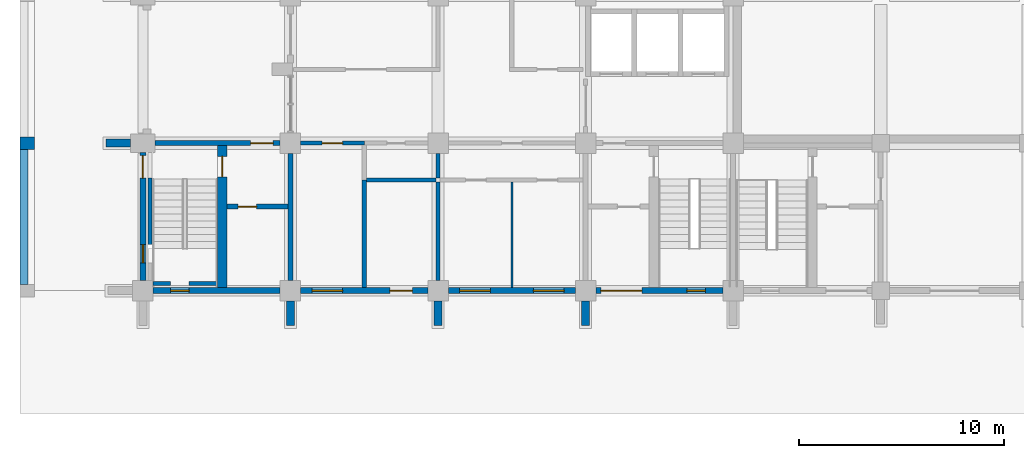
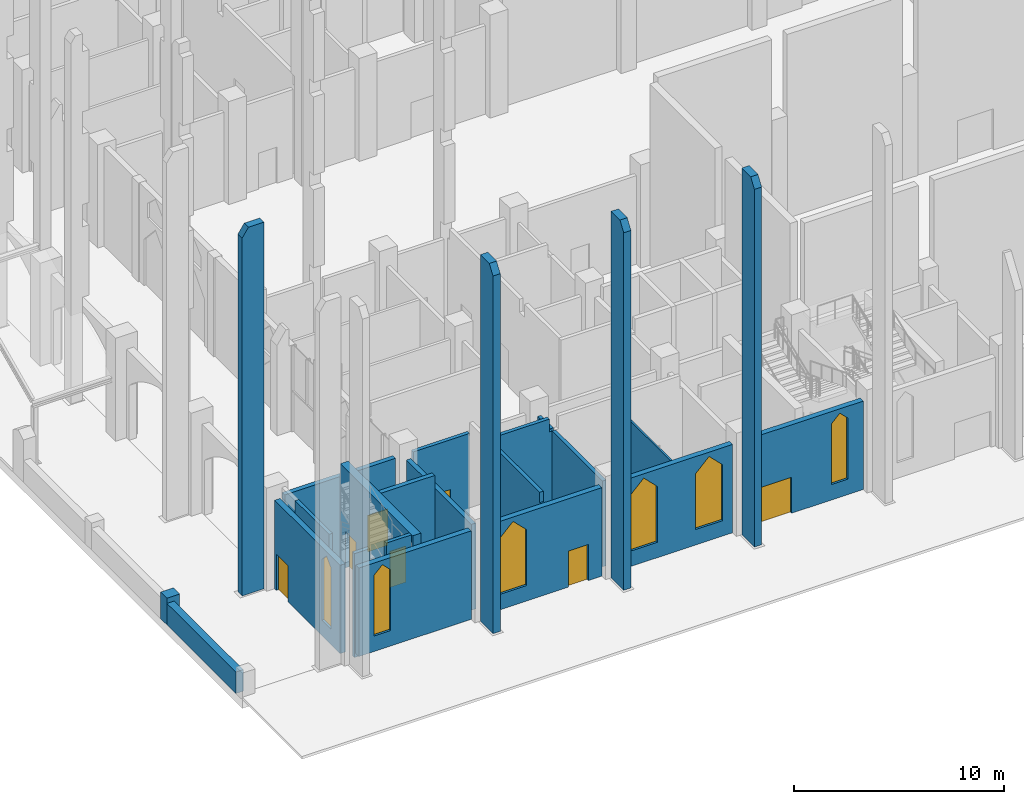
# One storey, part 28 of 50: 24 walls, 7 doors, 6 windows, 13 openings.
"""IFC4 building model written with IfcOpenShell, lengths in metres."""

from ifc_helpers import new_model, si_unit, direction, frame, frame_2d, origin, place, context, subcontext, project, spatial, polyline, rectangle, outline, extrude, material, layer, layer_set, type_object, element, fill, save


model = new_model("IFC4")

# Units and contexts
model_context = context("Model", 3, precision=1e-05, world=origin(), true_north=direction((0.0, 1.0)))
body_context = subcontext(model_context, "Body", "Model", "MODEL_VIEW")
ifc_project = project(units=[si_unit("LENGTHUNIT", "METRE"), si_unit("AREAUNIT", "SQUARE_METRE"), si_unit("VOLUMEUNIT", "CUBIC_METRE"), si_unit("PLANEANGLEUNIT", "RADIAN"), si_unit("MASSUNIT", "GRAM", prefix="KILO")], contexts=[model_context])

# Site, building, storey
site_placement = place(None, origin())
site = spatial("IfcSite", under=ifc_project, at=site_placement, CompositionType="ELEMENT")
building_placement = place(site_placement, origin())
building = spatial("IfcBuilding", under=site, at=building_placement, Name="Silangan Lancet Faculty of Sciences", CompositionType="ELEMENT")
storey_placement = place(building_placement, origin())
storey = spatial("IfcBuildingStorey", under=building, at=storey_placement, Name="L00", CompositionType="ELEMENT", Elevation=0.0)

# Walls
ifc_material_1 = material(Name="Concrete C40/50", Category="concrete")
ifc_layer_1 = layer(ifc_material_1, 0.39990234375)
ifc_layer_set_1 = layer_set([ifc_layer_1], Name="Concrete C40/50")
wall_type_1 = type_object("IfcWallType", Name="EW11 Forecourt stone wall 400", PredefinedType="STANDARD", material=ifc_layer_set_1)
wall_1_placement = place(storey_placement, frame((-5.800048828125, 0.300048828125, -0.14990234375), z_axis=(0.0, 0.0, 1.0), x_axis=(0.0, 1.0, 0.0)))
element("IfcWall", 1, at=wall_1_placement, inside=storey, type_object=wall_type_1, Name="BWF-01", PredefinedType="STANDARD", context=body_context, shape_type="SweptSolid", body=[
    extrude(rectangle(XDim=6.599853515625, YDim=0.39990234375, at=frame_2d((3.2998046875, 0.0))), origin(), (0.0, 0.0, 1.0), 1.25),
])
ifc_material_2 = material(Name="Concrete C40/50", Category="concrete")
ifc_layer_2 = layer(ifc_material_2, 0.699951171875)
ifc_layer_set_2 = layer_set([ifc_layer_2], Name="Concrete C40/50")
wall_type_2 = type_object("IfcWallType", Name="EW12 Forecourt wall pier 700 x 600", PredefinedType="STANDARD", material=ifc_layer_set_2)
wall_2_placement = place(storey_placement, frame((-5.64990234375, 6.89990234375, -0.14990234375), z_axis=(0.0, 0.0, 1.0), x_axis=(0.0, 1.0, 0.0)))
element("IfcWall", 2, at=wall_2_placement, inside=storey, type_object=wall_type_2, Name="BPF-02", PredefinedType="STANDARD", context=body_context, shape_type="SweptSolid", body=[
    extrude(rectangle(XDim=0.60009765625, YDim=0.699951171875, at=frame_2d((0.300048828125, 0.0))), origin(), (0.0, 0.0, 1.0), 1.5498046875),
])

# Wall, openings, window, door
ifc_material_3 = material(Name="Concrete C40/50 precast", Category="concrete")
ifc_layer_3 = layer(ifc_material_3, 0.300048828125)
ifc_layer_set_3 = layer_set([ifc_layer_3], Name="Concrete C40/50 precast")
wall_type_3 = type_object("IfcWallType", Name="EW2 Turret enclosure wall", PredefinedType="STANDARD", material=ifc_layer_set_3)
wall_3_placement = place(storey_placement, frame((0.0, 0.5, 0.0), z_axis=(0.0, 0.0, 1.0), x_axis=(0.0, 1.0, 0.0)))
wall_3 = element("IfcWall", 3, at=wall_3_placement, inside=storey, type_object=wall_type_3, Name="EW-L00-W-ST-00", PredefinedType="STANDARD", context=body_context, shape_type="SweptSolid", body=[
    extrude(rectangle(XDim=6.25, YDim=0.300048828125, at=frame_2d((3.125, 0.0))), origin(), (0.0, 0.0, 1.0), 5.14990234375),
])
opening_1_placement = place(wall_3_placement, frame((4.989990234375, 0.0, 0.0)))
opening_1 = element("IfcOpeningElement", 4, at=opening_1_placement, cuts=wall_3, Name="Opening L00-901", PredefinedType="OPENING", context=body_context, shape_type="SweptSolid", body=[
    extrude(rectangle(XDim=1.10009765625, YDim=2.10009765625, at=frame_2d((0.550048828125, 1.050048828125))), frame((0.0, 0.159912109375, 0.0), z_axis=(0.0, -1.0, 0.0), x_axis=(1.0, 0.0, 0.0)), (0.0, 0.0, 1.0), 0.320068359375),
])
opening_2_placement = place(wall_3_placement, frame((0.85009765625, 0.0, 0.89990234375)))
opening_2 = element("IfcOpeningElement", 5, at=opening_2_placement, cuts=wall_3, Name="Opening W2", PredefinedType="OPENING", context=body_context, shape_type="SweptSolid", body=[
    extrude(outline(polyline([(0.0, 0.0), (0.89990234375, 0.0), (0.89990234375, 3.550048828125), (0.449951171875, 4.0), (0.0, 3.550048828125), (0.0, 0.0)])), frame((0.0, 0.159912109375, 0.0), z_axis=(0.0, -1.0, 0.0), x_axis=(1.0, 0.0, 0.0)), (0.0, 0.0, 1.0), 0.320068359375),
])
ifc_material_4 = material(Name="Aluminium frame, laminated double glazing", Category="aluminium")
window_type_1 = type_object("IfcWindowType", Name="W2 Lancet window 900 x 4000", PartitioningType="SINGLE_PANEL", PredefinedType="WINDOW", material=ifc_material_4)
window_1_placement = place(opening_2_placement, origin())
window_1 = element("IfcWindow", 6, at=window_1_placement, inside=storey, type_object=window_type_1, Name="WIN-L00-W-ST-00a", OverallHeight=4.0, OverallWidth=0.89990234375, PartitioningType="SINGLE_PANEL", PredefinedType="WINDOW", context=body_context, shape_type="SweptSolid", body=[
    extrude(outline(polyline([(0.0, 0.0), (0.89990234375, 0.0), (0.89990234375, 3.550048828125), (0.449951171875, 4.0), (0.0, 3.550048828125), (0.0, 0.0)])), frame((0.0, 0.030029296875, 0.0), z_axis=(0.0, -1.0, 0.0), x_axis=(1.0, 0.0, 0.0)), (0.0, 0.0, 1.0), 0.06005859375),
])
fill(opening_2, window_1)
ifc_material_5 = material(Name="Steel hollow-metal, fire rated", Category="steel")
door_type_1 = type_object("IfcDoorType", Name="XD1 Stair discharge door 1100 x 2100", OperationType="SINGLE_SWING_LEFT", PredefinedType="DOOR", material=ifc_material_5)
door_1_placement = place(opening_1_placement, origin())
door_1 = element("IfcDoor", 7, at=door_1_placement, inside=storey, type_object=door_type_1, Name="DOOR-L00-901", OperationType="SINGLE_SWING_RIGHT", OverallHeight=2.10009765625, OverallWidth=1.10009765625, PredefinedType="DOOR", context=body_context, shape_type="SweptSolid", body=[
    extrude(rectangle(XDim=1.10009765625, YDim=2.10009765625, at=frame_2d((0.550048828125, 1.050048828125))), frame((0.0, 0.02490234375, 0.0), z_axis=(0.0, -1.0, 0.0), x_axis=(1.0, 0.0, 0.0)), (0.0, 0.0, 1.0), 0.050048828125),
])
fill(opening_1, door_1)

# Wall, opening, window
wall_4_placement = place(storey_placement, frame((0.5, 0.0, 0.0), z_axis=(0.0, 0.0, 1.0), x_axis=(1.0, 0.0, 0.0)))
wall_4 = element("IfcWall", 8, at=wall_4_placement, inside=storey, type_object=wall_type_3, Name="EW-L00-S-ST-00", PredefinedType="STANDARD", context=body_context, shape_type="SweptSolid", body=[
    extrude(rectangle(XDim=6.199951171875, YDim=0.300048828125, at=frame_2d((3.10009765625, 0.0))), origin(), (0.0, 0.0, 1.0), 5.14990234375),
])
opening_3_placement = place(wall_4_placement, frame((0.85009765625, 0.0, 0.89990234375)))
opening_3 = element("IfcOpeningElement", 9, at=opening_3_placement, cuts=wall_4, Name="Opening W2", PredefinedType="OPENING", context=body_context, shape_type="SweptSolid", body=[
    extrude(outline(polyline([(0.0, 0.0), (0.89990234375, 0.0), (0.89990234375, 3.550048828125), (0.449951171875, 4.0), (0.0, 3.550048828125), (0.0, 0.0)])), frame((0.0, 0.159912109375, 0.0), z_axis=(0.0, -1.0, 0.0), x_axis=(1.0, 0.0, 0.0)), (0.0, 0.0, 1.0), 0.320068359375),
])
window_2_placement = place(opening_3_placement, origin())
window_2 = element("IfcWindow", 10, at=window_2_placement, inside=storey, type_object=window_type_1, Name="WIN-L00-S-ST-00a", OverallHeight=4.0, OverallWidth=0.89990234375, PartitioningType="SINGLE_PANEL", PredefinedType="WINDOW", context=body_context, shape_type="SweptSolid", body=[
    extrude(outline(polyline([(0.0, 0.0), (0.89990234375, 0.0), (0.89990234375, 3.550048828125), (0.449951171875, 4.0), (0.0, 3.550048828125), (0.0, 0.0)])), frame((0.0, 0.030029296875, 0.0), z_axis=(0.0, -1.0, 0.0), x_axis=(1.0, 0.0, 0.0)), (0.0, 0.0, 1.0), 0.06005859375),
])
fill(opening_3, window_2)

# Wall, openings, window, door
wall_5_placement = place(storey_placement, frame((22.10009765625, 0.0, 0.0), z_axis=(0.0, 0.0, 1.0), x_axis=(1.0, 0.0, 0.0)))
wall_5 = element("IfcWall", 11, at=wall_5_placement, inside=storey, type_object=wall_type_3, Name="EW-L00-S-ST-03", PredefinedType="STANDARD", context=body_context, shape_type="SweptSolid", body=[
    extrude(rectangle(XDim=6.199951171875, YDim=0.300048828125, at=frame_2d((3.10009765625, 0.0))), origin(), (0.0, 0.0, 1.0), 5.14990234375),
])
opening_4_placement = place(wall_5_placement, frame((0.25, 0.0, 0.0)))
opening_4 = element("IfcOpeningElement", 12, at=opening_4_placement, cuts=wall_5, Name="Opening L00-905", PredefinedType="OPENING", context=body_context, shape_type="SweptSolid", body=[
    extrude(rectangle(XDim=2.0, YDim=2.10009765625, at=frame_2d((1.0, 1.050048828125))), frame((0.0, 0.159912109375, 0.0), z_axis=(0.0, -1.0, 0.0), x_axis=(1.0, 0.0, 0.0)), (0.0, 0.0, 1.0), 0.320068359375),
])
opening_5_placement = place(wall_5_placement, frame((4.449951171875, 0.0, 0.89990234375)))
opening_5 = element("IfcOpeningElement", 13, at=opening_5_placement, cuts=wall_5, Name="Opening W2", PredefinedType="OPENING", context=body_context, shape_type="SweptSolid", body=[
    extrude(outline(polyline([(0.0, 0.0), (0.89990234375, 0.0), (0.89990234375, 3.550048828125), (0.449951171875, 4.0), (0.0, 3.550048828125), (0.0, 0.0)])), frame((0.0, 0.159912109375, 0.0), z_axis=(0.0, -1.0, 0.0), x_axis=(1.0, 0.0, 0.0)), (0.0, 0.0, 1.0), 0.320068359375),
])
window_3_placement = place(opening_5_placement, origin())
window_3 = element("IfcWindow", 14, at=window_3_placement, inside=storey, type_object=window_type_1, Name="WIN-L00-S-ST-03b", OverallHeight=4.0, OverallWidth=0.89990234375, PartitioningType="SINGLE_PANEL", PredefinedType="WINDOW", context=body_context, shape_type="SweptSolid", body=[
    extrude(outline(polyline([(0.0, 0.0), (0.89990234375, 0.0), (0.89990234375, 3.550048828125), (0.449951171875, 4.0), (0.0, 3.550048828125), (0.0, 0.0)])), frame((0.0, 0.030029296875, 0.0), z_axis=(0.0, -1.0, 0.0), x_axis=(1.0, 0.0, 0.0)), (0.0, 0.0, 1.0), 0.06005859375),
])
fill(opening_5, window_3)
ifc_material_6 = material(Name="Steel hollow-metal, fire rated", Category="steel")
door_type_2 = type_object("IfcDoorType", Name="XD2 Exit passage door pair 2000 x 2100", OperationType="DOUBLE_DOOR_SINGLE_SWING", PredefinedType="DOOR", material=ifc_material_6)
door_2_placement = place(opening_4_placement, frame((2.0, 0.0, 0.0), z_axis=(0.0, 0.0, 1.0), x_axis=(-1.0, 0.0, 0.0)))
door_2 = element("IfcDoor", 15, at=door_2_placement, inside=storey, type_object=door_type_2, Name="DOOR-L00-905", OperationType="DOUBLE_DOOR_SINGLE_SWING", OverallHeight=2.10009765625, OverallWidth=2.0, PredefinedType="DOOR", context=body_context, shape_type="SweptSolid", body=[
    extrude(rectangle(XDim=2.0, YDim=2.10009765625, at=frame_2d((1.0, 1.050048828125))), frame((0.0, 0.025146484375, 0.0), z_axis=(0.0, -1.0, 0.0), x_axis=(1.0, 0.0, 0.0)), (0.0, 0.0, 1.0), 0.050048828125),
])
fill(opening_4, door_2)

ifc_material_7 = material(Name="Concrete C40/50", Category="concrete")
ifc_layer_4 = layer(ifc_material_7, 0.300048828125)
ifc_layer_set_4 = layer_set([ifc_layer_4], Name="Concrete C40/50")
wall_type_4 = type_object("IfcWallType", Name="EW6 Stone-faced base wall", PredefinedType="STANDARD", material=ifc_layer_set_4)
wall_6_placement = place(storey_placement, frame((7.699951171875, 0.0, 0.0), z_axis=(0.0, 0.0, 1.0), x_axis=(1.0, 0.0, 0.0)))
wall_6 = element("IfcWall", 16, at=wall_6_placement, inside=storey, type_object=wall_type_4, Name="EW-L00-S-ST-01", PredefinedType="STANDARD", context=body_context, shape_type="SweptSolid", body=[
    extrude(rectangle(XDim=6.199951171875, YDim=0.300048828125, at=frame_2d((3.10009765625, 0.0))), origin(), (0.0, 0.0, 1.0), 5.14990234375),
])
opening_6_placement = place(wall_6_placement, frame((4.35009765625, 0.0, 0.0)))
opening_6 = element("IfcOpeningElement", 17, at=opening_6_placement, cuts=wall_6, Name="Opening L00-911", PredefinedType="OPENING", context=body_context, shape_type="SweptSolid", body=[
    extrude(rectangle(XDim=1.10009765625, YDim=2.10009765625, at=frame_2d((0.550048828125, 1.050048828125))), frame((0.0, 0.159912109375, 0.0), z_axis=(0.0, -1.0, 0.0), x_axis=(1.0, 0.0, 0.0)), (0.0, 0.0, 1.0), 0.320068359375),
])
opening_7_placement = place(wall_6_placement, frame((0.550048828125, 0.0, 0.89990234375)))
opening_7 = element("IfcOpeningElement", 18, at=opening_7_placement, cuts=wall_6, Name="Opening W3", PredefinedType="OPENING", context=body_context, shape_type="SweptSolid", body=[
    extrude(outline(polyline([(0.0, 0.0), (1.5, 0.0), (1.5, 3.25), (0.75, 4.0), (0.0, 3.25), (0.0, 0.0)])), frame((0.0, 0.159912109375, 0.0), z_axis=(0.0, -1.0, 0.0), x_axis=(1.0, 0.0, 0.0)), (0.0, 0.0, 1.0), 0.320068359375),
])
ifc_material_8 = material(Name="Aluminium frame, laminated double glazing", Category="aluminium")
window_type_2 = type_object("IfcWindowType", Name="W3 Lancet window 1500 x 4000", PartitioningType="SINGLE_PANEL", PredefinedType="WINDOW", material=ifc_material_8)
window_4_placement = place(opening_7_placement, origin())
window_4 = element("IfcWindow", 19, at=window_4_placement, inside=storey, type_object=window_type_2, Name="WIN-L00-S-ST-01a", OverallHeight=4.0, OverallWidth=1.5, PartitioningType="SINGLE_PANEL", PredefinedType="WINDOW", context=body_context, shape_type="SweptSolid", body=[
    extrude(outline(polyline([(0.0, 0.0), (1.5, 0.0), (1.5, 3.25), (0.75, 4.0), (0.0, 3.25), (0.0, 0.0)])), frame((0.0, 0.030029296875, 0.0), z_axis=(0.0, -1.0, 0.0), x_axis=(1.0, 0.0, 0.0)), (0.0, 0.0, 1.0), 0.06005859375),
])
fill(opening_7, window_4)
ifc_material_9 = material(Name="Steel hollow-metal, fire rated", Category="steel")
door_type_3 = type_object("IfcDoorType", Name="XD4 Fire command centre service entry 1100 x 2100", OperationType="SINGLE_SWING_LEFT", PredefinedType="DOOR", material=ifc_material_9)
door_3_placement = place(opening_6_placement, frame((1.10009765625, 0.0, 0.0), z_axis=(0.0, 0.0, 1.0), x_axis=(-1.0, 0.0, 0.0)))
door_3 = element("IfcDoor", 20, at=door_3_placement, inside=storey, type_object=door_type_3, Name="DOOR-L00-911", OperationType="SINGLE_SWING_LEFT", OverallHeight=2.10009765625, OverallWidth=1.10009765625, PredefinedType="DOOR", context=body_context, shape_type="SweptSolid", body=[
    extrude(rectangle(XDim=1.10009765625, YDim=2.10009765625, at=frame_2d((0.550048828125, 1.050048828125))), frame((0.0, 0.025146484375, 0.0), z_axis=(0.0, -1.0, 0.0), x_axis=(1.0, 0.0, 0.0)), (0.0, 0.0, 1.0), 0.050048828125),
])
fill(opening_6, door_3)

# Wall, openings, windows
wall_7_placement = place(storey_placement, frame((14.89990234375, 0.0, 0.0), z_axis=(0.0, 0.0, 1.0), x_axis=(1.0, 0.0, 0.0)))
wall_7 = element("IfcWall", 21, at=wall_7_placement, inside=storey, type_object=wall_type_4, Name="EW-L00-S-ST-02", PredefinedType="STANDARD", context=body_context, shape_type="SweptSolid", body=[
    extrude(rectangle(XDim=6.2001953125, YDim=0.300048828125, at=frame_2d((3.10009765625, 0.0))), origin(), (0.0, 0.0, 1.0), 5.14990234375),
])
opening_8_placement = place(wall_7_placement, frame((0.550048828125, 0.0, 0.89990234375)))
opening_8 = element("IfcOpeningElement", 22, at=opening_8_placement, cuts=wall_7, Name="Opening W3", PredefinedType="OPENING", context=body_context, shape_type="SweptSolid", body=[
    extrude(outline(polyline([(0.0, 0.0), (1.5, 0.0), (1.5, 3.25), (0.75, 4.0), (0.0, 3.25), (0.0, 0.0)])), frame((0.0, 0.159912109375, 0.0), z_axis=(0.0, -1.0, 0.0), x_axis=(1.0, 0.0, 0.0)), (0.0, 0.0, 1.0), 0.320068359375),
])
opening_9_placement = place(wall_7_placement, frame((4.14990234375, 0.0, 0.89990234375)))
opening_9 = element("IfcOpeningElement", 23, at=opening_9_placement, cuts=wall_7, Name="Opening W3", PredefinedType="OPENING", context=body_context, shape_type="SweptSolid", body=[
    extrude(outline(polyline([(0.0, 0.0), (1.5, 0.0), (1.5, 3.25), (0.75, 4.0), (0.0, 3.25), (0.0, 0.0)])), frame((0.0, 0.159912109375, 0.0), z_axis=(0.0, -1.0, 0.0), x_axis=(1.0, 0.0, 0.0)), (0.0, 0.0, 1.0), 0.320068359375),
])
window_5_placement = place(opening_8_placement, origin())
window_5 = element("IfcWindow", 24, at=window_5_placement, inside=storey, type_object=window_type_2, Name="WIN-L00-S-ST-02a", OverallHeight=4.0, OverallWidth=1.5, PartitioningType="SINGLE_PANEL", PredefinedType="WINDOW", context=body_context, shape_type="SweptSolid", body=[
    extrude(outline(polyline([(0.0, 0.0), (1.5, 0.0), (1.5, 3.25), (0.75, 4.0), (0.0, 3.25), (0.0, 0.0)])), frame((0.0, 0.030029296875, 0.0), z_axis=(0.0, -1.0, 0.0), x_axis=(1.0, 0.0, 0.0)), (0.0, 0.0, 1.0), 0.06005859375),
])
fill(opening_8, window_5)
window_6_placement = place(opening_9_placement, origin())
window_6 = element("IfcWindow", 25, at=window_6_placement, inside=storey, type_object=window_type_2, Name="WIN-L00-S-ST-02b", OverallHeight=4.0, OverallWidth=1.5, PartitioningType="SINGLE_PANEL", PredefinedType="WINDOW", context=body_context, shape_type="SweptSolid", body=[
    extrude(outline(polyline([(0.0, 0.0), (1.5, 0.0), (1.5, 3.25), (0.75, 4.0), (0.0, 3.25), (0.0, 0.0)])), frame((0.0, 0.030029296875, 0.0), z_axis=(0.0, -1.0, 0.0), x_axis=(1.0, 0.0, 0.0)), (0.0, 0.0, 1.0), 0.06005859375),
])
fill(opening_9, window_6)

# Walls
ifc_material_10 = material(Name="Concrete C40/50 precast", Category="concrete")
ifc_layer_5 = layer(ifc_material_10, 0.39990234375)
ifc_layer_set_5 = layer_set([ifc_layer_5], Name="Concrete C40/50 precast")
wall_type_5 = type_object("IfcWallType", Name="FN10 Buttress Fin column line stage 1 21350", PredefinedType="POLYGONAL", material=ifc_layer_set_5)
for number, where, z_axis, x_axis, name in (
    (26, (7.199951171875, -0.5, 0.0), (0.0, 0.0, 1.0), (0.0, -1.0, 0.0), "FINC-S-ST-02"),
    (27, (14.39990234375, -0.5, 0.0), (0.0, 0.0, 1.0), (0.0, -1.0, 0.0), "FINC-S-ST-03"),
    (28, (21.60009765625, -0.5, 0.0), (0.0, 0.0, 1.0), (0.0, -1.0, 0.0), "FINC-S-ST-04"),
):
    element("IfcWall", number, at=place(storey_placement, frame(where, z_axis=z_axis, x_axis=x_axis)), inside=storey, type_object=wall_type_5, Name=name, PredefinedType="POLYGONAL", context=body_context, shape_type="SweptSolid", body=[
        extrude(outline(polyline([(1.199951171875, 0.0), (1.199951171875, 20.824951171875), (0.85009765625, 21.35009765625), (0.0, 21.35009765625), (0.0, 0.0), (1.199951171875, 0.0)])), frame((0.0, 0.199951171875, 0.0), z_axis=(0.0, -1.0, 0.0), x_axis=(1.0, 0.0, 0.0)), (0.0, 0.0, 1.0), 0.39990234375),
    ])
ifc_material_11 = material(Name="Concrete C40/50 precast", Category="concrete")
ifc_layer_6 = layer(ifc_material_11, 0.39990234375)
ifc_layer_set_6 = layer_set([ifc_layer_6], Name="Concrete C40/50 precast")
wall_type_6 = type_object("IfcWallType", Name="FN14 Buttress Fin column line stage 1 21350", PredefinedType="POLYGONAL", material=ifc_layer_set_6)
wall_8_placement = place(storey_placement, frame((-0.60009765625, 7.199951171875, 0.0), z_axis=(0.0, 0.0, 1.0), x_axis=(-1.0, 0.0, 0.0)))
element("IfcWall", 29, at=wall_8_placement, inside=storey, type_object=wall_type_6, Name="FINC-W-ST-02", PredefinedType="POLYGONAL", context=body_context, shape_type="SweptSolid", body=[
    extrude(outline(polyline([(1.199951171875, 0.0), (1.199951171875, 20.824951171875), (0.85009765625, 21.35009765625), (0.0, 21.35009765625), (0.0, 0.0), (1.199951171875, 0.0)])), frame((0.0, 0.199951171875, 0.0), z_axis=(0.0, -1.0, 0.0), x_axis=(1.0, 0.0, 0.0)), (0.0, 0.0, 1.0), 0.39990234375),
])

# Wall, opening, door
ifc_material_12 = material(Name="Hollow block masonry fm 7 MPa", Category="masonry")
ifc_layer_7 = layer(ifc_material_12, 0.199951171875)
ifc_layer_set_7 = layer_set([ifc_layer_7], Name="Hollow block masonry fm 7 MPa")
wall_type_7 = type_object("IfcWallType", Name="Interior wall PW1 Corridor wall CHB 200", PredefinedType="PARTITIONING", material=ifc_layer_set_7)
wall_9_placement = place(storey_placement, frame((7.699951171875, 7.199951171875, 0.0), z_axis=(0.0, 0.0, 1.0), x_axis=(1.0, 0.0, 0.0)))
wall_9 = element("IfcWall", 30, at=wall_9_placement, inside=storey, type_object=wall_type_7, Name="Corridor wall CHB 200", PredefinedType="PARTITIONING", context=body_context, shape_type="SweptSolid", body=[
    extrude(rectangle(XDim=3.10009765625, YDim=0.199951171875, at=frame_2d((1.550048828125, 0.0))), origin(), (0.0, 0.0, 1.0), 5.0),
])
opening_10_placement = place(wall_9_placement, frame((1.050048828125, 0.0, 0.0)))
opening_10 = element("IfcOpeningElement", 31, at=opening_10_placement, cuts=wall_9, Name="Opening L00-042", PredefinedType="OPENING", context=body_context, shape_type="SweptSolid", body=[
    extrude(rectangle(XDim=1.0, YDim=2.10009765625, at=frame_2d((0.5, 1.050048828125))), frame((0.0, 0.10986328125, 0.0), z_axis=(0.0, -1.0, 0.0), x_axis=(1.0, 0.0, 0.0)), (0.0, 0.0, 1.0), 0.219970703125),
])
ifc_material_13 = material(Name="Steel fire door set", Category="steel")
door_type_4 = type_object("IfcDoorType", Name="Door D1 Single leaf fire door 1000 x 2100", OperationType="SINGLE_SWING_LEFT", PredefinedType="DOOR", material=ifc_material_13)
door_4_placement = place(opening_10_placement, frame((1.0, 0.0, 0.0), z_axis=(0.0, 0.0, 1.0), x_axis=(-1.0, 0.0, 0.0)))
door_4 = element("IfcDoor", 32, at=door_4_placement, inside=storey, type_object=door_type_4, Name="Single leaf fire door 1000 x 2100", OperationType="SINGLE_SWING_RIGHT", OverallHeight=2.10009765625, OverallWidth=1.0, PredefinedType="DOOR", context=body_context, shape_type="SweptSolid", body=[
    extrude(rectangle(XDim=1.0, YDim=2.10009765625, at=frame_2d((0.5, 1.050048828125))), frame((0.0, 0.025146484375, 0.0), z_axis=(0.0, -1.0, 0.0), x_axis=(1.0, 0.0, 0.0)), (0.0, 0.0, 1.0), 0.050048828125),
])
fill(opening_10, door_4)

# Walls
ifc_material_14 = material(Name="Concrete C35/45", Category="concrete")
ifc_layer_8 = layer(ifc_material_14, 0.199951171875)
ifc_layer_set_8 = layer_set([ifc_layer_8], Name="Concrete C35/45")
wall_type_8 = type_object("IfcWallType", Name="Interior wall PW5 Riser wall RC 200", PredefinedType="SOLIDWALL", material=ifc_layer_set_8)
wall_10_placement = place(storey_placement, frame((14.39990234375, 5.5, 0.0), z_axis=(0.0, 0.0, 1.0), x_axis=(0.0, 1.0, 0.0)))
element("IfcWall", 33, at=wall_10_placement, inside=storey, type_object=wall_type_8, Name="Riser wall RC 200", PredefinedType="SOLIDWALL", context=body_context, shape_type="SweptSolid", body=[
    extrude(rectangle(XDim=1.199951171875, YDim=0.199951171875, at=frame_2d((0.60009765625, 0.0))), origin(), (0.0, 0.0, 1.0), 5.0),
])
ifc_material_15 = material(Name="Concrete C35/45", Category="concrete")
ifc_layer_9 = layer(ifc_material_15, 0.199951171875)
ifc_layer_set_9 = layer_set([ifc_layer_9], Name="Concrete C35/45")
wall_type_9 = type_object("IfcWallType", Name="Interior wall PW7 Fire command centre wall RC 200", PredefinedType="SOLIDWALL", material=ifc_layer_set_9)
wall_11_placement = place(storey_placement, frame((10.89990234375, 5.39990234375, 0.0), z_axis=(0.0, 0.0, 1.0), x_axis=(1.0, 0.0, 0.0)))
element("IfcWall", 34, at=wall_11_placement, inside=storey, type_object=wall_type_9, Name="Fire command centre wall RC 200", PredefinedType="SOLIDWALL", context=body_context, shape_type="SweptSolid", body=[
    extrude(outline(polyline([(0.0, 0.0), (3.400146484375, 0.0), (3.400146484375, 5.0), (3.25, 5.0), (3.25, 5.75), (0.0, 5.75), (0.0, 0.0)])), frame((0.0, 0.10009765625, 0.0), z_axis=(0.0, -1.0, 0.0), x_axis=(1.0, 0.0, 0.0)), (0.0, 0.0, 1.0), 0.199951171875),
])
wall_12_placement = place(storey_placement, frame((10.800048828125, 0.14990234375, 0.0), z_axis=(0.0, 0.0, 1.0), x_axis=(0.0, 1.0, 0.0)))
element("IfcWall", 35, at=wall_12_placement, inside=storey, type_object=wall_type_9, Name="Fire command centre wall RC 200", PredefinedType="SOLIDWALL", context=body_context, shape_type="SweptSolid", body=[
    extrude(outline(polyline([(0.0, 0.0), (5.25, 0.0), (5.25, 5.75), (0.10009765625, 5.75), (0.10009765625, 5.14990234375), (0.0, 5.14990234375), (0.0, 0.0)])), frame((0.0, 0.10009765625, 0.0), z_axis=(0.0, -1.0, 0.0), x_axis=(1.0, 0.0, 0.0)), (0.0, 0.0, 1.0), 0.199951171875),
])
wall_13_placement = place(storey_placement, frame((14.39990234375, 0.5, 0.0), z_axis=(0.0, 0.0, 1.0), x_axis=(0.0, 1.0, 0.0)))
element("IfcWall", 36, at=wall_13_placement, inside=storey, type_object=wall_type_9, Name="Fire command centre wall RC 200", PredefinedType="SOLIDWALL", context=body_context, shape_type="SweptSolid", body=[
    extrude(rectangle(XDim=4.800048828125, YDim=0.199951171875, at=frame_2d((2.39990234375, 0.0))), origin(), (0.0, 0.0, 1.0), 5.0),
])
ifc_material_16 = material(Name="Hollow block masonry fm 7 MPa", Category="masonry")
ifc_layer_10 = layer(ifc_material_16, 0.10009765625)
ifc_layer_set_10 = layer_set([ifc_layer_10], Name="Hollow block masonry fm 7 MPa")
wall_type_10 = type_object("IfcWallType", Name="Interior wall PW8 WC partition CHB 100", PredefinedType="PARTITIONING", material=ifc_layer_set_10)
wall_14_placement = place(storey_placement, frame((18.0, 0.14990234375, 0.0), z_axis=(0.0, 0.0, 1.0), x_axis=(0.0, 1.0, 0.0)))
element("IfcWall", 37, at=wall_14_placement, inside=storey, type_object=wall_type_10, Name="WC partition CHB 100", PredefinedType="PARTITIONING", context=body_context, shape_type="SweptSolid", body=[
    extrude(rectangle(XDim=5.150146484375, YDim=0.10009765625, at=frame_2d((2.5751953125, 0.0))), origin(), (0.0, 0.0, 1.0), 5.0),
])

# Wall, opening, door
ifc_material_17 = material(Name="Concrete C40/50", Category="concrete")
ifc_layer_11 = layer(ifc_material_17, 0.449951171875)
ifc_layer_set_11 = layer_set([ifc_layer_11], Name="Concrete C40/50")
wall_type_11 = type_object("IfcWallType", Name="TURRET CORE WALL RC 450", PredefinedType="SHEAR", material=ifc_layer_set_11)
wall_15_placement = place(storey_placement, frame((3.875, 0.14990234375, 0.0), z_axis=(0.0, 0.0, 1.0), x_axis=(0.0, 1.0, 0.0)))
wall_15 = element("IfcWall", 38, at=wall_15_placement, inside=storey, type_object=wall_type_11, Name="WALL-L00-ST-A-WELL", PredefinedType="SHEAR", context=body_context, shape_type="SweptSolid", body=[
    extrude(rectangle(XDim=6.925048828125, YDim=0.449951171875, at=frame_2d((3.46240234375, 0.0))), origin(), (0.0, 0.0, 1.0), 5.75),
])
opening_11_placement = place(wall_15_placement, frame((5.39990234375, 0.0, 0.0)))
opening_11 = element("IfcOpeningElement", 39, at=opening_11_placement, cuts=wall_15, Name="Opening L00-725", PredefinedType="OPENING", context=body_context, shape_type="SweptSolid", body=[
    extrude(rectangle(XDim=1.0, YDim=2.10009765625, at=frame_2d((0.5, 1.050048828125))), frame((0.0, 0.23486328125, 0.0), z_axis=(0.0, -1.0, 0.0), x_axis=(1.0, 0.0, 0.0)), (0.0, 0.0, 1.0), 0.469970703125),
])
ifc_material_18 = material(Name="Steel fire door set", Category="steel")
door_type_5 = type_object("IfcDoorType", Name="D71 Stair enclosure door 1000x2100", OperationType="SINGLE_SWING_LEFT", PredefinedType="DOOR", material=ifc_material_18)
door_5_placement = place(opening_11_placement, origin())
door_5 = element("IfcDoor", 40, at=door_5_placement, inside=storey, type_object=door_type_5, Name="Stair enclosure door ST-A L00", OperationType="SINGLE_SWING_RIGHT", OverallHeight=2.10009765625, OverallWidth=1.0, PredefinedType="DOOR", context=body_context, shape_type="SweptSolid", body=[
    extrude(rectangle(XDim=1.0, YDim=2.10009765625, at=frame_2d((0.5, 1.050048828125))), frame((0.0, 0.02490234375, 0.0), z_axis=(0.0, -1.0, 0.0), x_axis=(1.0, 0.0, 0.0)), (0.0, 0.0, 1.0), 0.050048828125),
])
fill(opening_11, door_5)

# Walls
ifc_material_19 = material(Name="Concrete C40/50", Category="concrete")
ifc_layer_12 = layer(ifc_material_19, 0.199951171875)
ifc_layer_set_12 = layer_set([ifc_layer_12], Name="Concrete C40/50")
wall_type_12 = type_object("IfcWallType", Name="TURRET LINING WALL RC 200", PredefinedType="SHEAR", material=ifc_layer_set_12)
wall_16_placement = place(storey_placement, frame((0.35009765625, 2.25, -0.300048828125), z_axis=(0.0, 0.0, 1.0), x_axis=(0.0, 1.0, 0.0)))
element("IfcWall", 41, at=wall_16_placement, inside=storey, type_object=wall_type_12, Name="WALL-L00-ST-A-WL-2", PredefinedType="SHEAR", context=body_context, shape_type="SweptSolid", body=[
    extrude(rectangle(XDim=3.239990234375, YDim=0.199951171875, at=frame_2d((1.6201171875, 0.0))), origin(), (0.0, 0.0, 1.0), 6.050048828125),
])
wall_17_placement = place(storey_placement, frame((0.5, 0.35009765625, -0.300048828125), z_axis=(0.0, 0.0, 1.0), x_axis=(1.0, 0.0, 0.0)))
element("IfcWall", 42, at=wall_17_placement, inside=storey, type_object=wall_type_12, Name="WALL-L00-ST-A-WLD", PredefinedType="SHEAR", context=body_context, shape_type="SweptSolid", body=[
    extrude(rectangle(XDim=0.85009765625, YDim=0.199951171875, at=frame_2d((0.425048828125, 0.0))), origin(), (0.0, 0.0, 1.0), 6.050048828125),
])
wall_18_placement = place(storey_placement, frame((2.25, 0.35009765625, -0.300048828125), z_axis=(0.0, 0.0, 1.0), x_axis=(1.0, 0.0, 0.0)))
element("IfcWall", 43, at=wall_18_placement, inside=storey, type_object=wall_type_12, Name="WALL-L00-ST-A-WLD-2", PredefinedType="SHEAR", context=body_context, shape_type="SweptSolid", body=[
    extrude(rectangle(XDim=1.39990234375, YDim=0.199951171875, at=frame_2d((0.699951171875, 0.0))), origin(), (0.0, 0.0, 1.0), 6.050048828125),
])

# Wall, opening, door
ifc_material_20 = material(Name="Concrete C40/50", Category="concrete")
ifc_layer_13 = layer(ifc_material_20, 0.25)
ifc_layer_set_13 = layer_set([ifc_layer_13], Name="Concrete C40/50")
wall_type_13 = type_object("IfcWallType", Name="TURRET WALL RC 250", PredefinedType="SHEAR", material=ifc_layer_set_13)
wall_19_placement = place(storey_placement, frame((0.60009765625, 7.199951171875, 0.0), z_axis=(0.0, 0.0, 1.0), x_axis=(1.0, 0.0, 0.0)))
wall_19 = element("IfcWall", 44, at=wall_19_placement, inside=storey, type_object=wall_type_13, Name="WALL-L00-ST-A-V", PredefinedType="SHEAR", context=body_context, shape_type="SweptSolid", body=[
    extrude(rectangle(XDim=6.099853515625, YDim=0.25, at=frame_2d((3.0498046875, 0.0))), origin(), (0.0, 0.0, 1.0), 5.0),
])
opening_12_placement = place(wall_19_placement, frame((4.64990234375, 0.0, 0.0)))
opening_12 = element("IfcOpeningElement", 45, at=opening_12_placement, cuts=wall_19, Name="Opening L00-726", PredefinedType="OPENING", context=body_context, shape_type="SweptSolid", body=[
    extrude(rectangle(XDim=1.10009765625, YDim=2.10009765625, at=frame_2d((0.550048828125, 1.050048828125))), frame((0.0, 0.135009765625, 0.0), z_axis=(0.0, -1.0, 0.0), x_axis=(1.0, 0.0, 0.0)), (0.0, 0.0, 1.0), 0.27001953125),
])
ifc_material_21 = material(Name="Steel fire door set", Category="steel")
door_type_6 = type_object("IfcDoorType", Name="D70 Stair vestibule door 1100x2100", OperationType="SINGLE_SWING_LEFT", PredefinedType="DOOR", material=ifc_material_21)
door_6_placement = place(opening_12_placement, origin())
door_6 = element("IfcDoor", 46, at=door_6_placement, inside=storey, type_object=door_type_6, Name="Stair vestibule door ST-A L00", OperationType="SINGLE_SWING_RIGHT", OverallHeight=2.10009765625, OverallWidth=1.10009765625, PredefinedType="DOOR", context=body_context, shape_type="SweptSolid", body=[
    extrude(rectangle(XDim=1.10009765625, YDim=2.10009765625, at=frame_2d((0.550048828125, 1.050048828125))), frame((0.0, 0.02490234375, 0.0), z_axis=(0.0, -1.0, 0.0), x_axis=(1.0, 0.0, 0.0)), (0.0, 0.0, 1.0), 0.050048828125),
])
fill(opening_12, door_6)

# Wall
wall_20_placement = place(storey_placement, frame((7.199951171875, 0.5, 0.0), z_axis=(0.0, 0.0, 1.0), x_axis=(0.0, 1.0, 0.0)))
element("IfcWall", 47, at=wall_20_placement, inside=storey, type_object=wall_type_13, Name="WALL-L00-ST-A-O", PredefinedType="SHEAR", context=body_context, shape_type="SweptSolid", body=[
    extrude(rectangle(XDim=6.199951171875, YDim=0.25, at=frame_2d((3.10009765625, 0.0))), origin(), (0.0, 0.0, 1.0), 5.0),
])

# Wall, opening, door
wall_21_placement = place(storey_placement, frame((4.10009765625, 4.10009765625, 0.0), z_axis=(0.0, 0.0, 1.0), x_axis=(1.0, 0.0, 0.0)))
wall_21 = element("IfcWall", 48, at=wall_21_placement, inside=storey, type_object=wall_type_13, Name="WALL-L00-ST-A-RISER", PredefinedType="SHEAR", context=body_context, shape_type="SweptSolid", body=[
    extrude(rectangle(XDim=2.974853515625, YDim=0.25, at=frame_2d((1.4873046875, 0.0))), origin(), (0.0, 0.0, 1.0), 5.75),
])
opening_13_placement = place(wall_21_placement, frame((0.550048828125, 0.0, 0.0)))
opening_13 = element("IfcOpeningElement", 49, at=opening_13_placement, cuts=wall_21, Name="Opening L00-727", PredefinedType="OPENING", context=body_context, shape_type="SweptSolid", body=[
    extrude(rectangle(XDim=0.89990234375, YDim=2.10009765625, at=frame_2d((0.449951171875, 1.050048828125))), frame((0.0, 0.135009765625, 0.0), z_axis=(0.0, -1.0, 0.0), x_axis=(1.0, 0.0, 0.0)), (0.0, 0.0, 1.0), 0.27001953125),
])
ifc_material_22 = material(Name="Steel fire door set", Category="steel")
door_type_7 = type_object("IfcDoorType", Name="D72 Riser access door 900x2100", OperationType="SINGLE_SWING_LEFT", PredefinedType="DOOR", material=ifc_material_22)
door_7_placement = place(opening_13_placement, frame((0.89990234375, 0.0, 0.0), z_axis=(0.0, 0.0, 1.0), x_axis=(-1.0, 0.0, 0.0)))
door_7 = element("IfcDoor", 50, at=door_7_placement, inside=storey, type_object=door_type_7, Name="Riser access door ST-A L00", OperationType="SINGLE_SWING_LEFT", OverallHeight=2.10009765625, OverallWidth=0.89990234375, PredefinedType="DOOR", context=body_context, shape_type="SweptSolid", body=[
    extrude(rectangle(XDim=0.89990234375, YDim=2.10009765625, at=frame_2d((0.449951171875, 1.050048828125))), frame((0.0, 0.025146484375, 0.0), z_axis=(0.0, -1.0, 0.0), x_axis=(1.0, 0.0, 0.0)), (0.0, 0.0, 1.0), 0.050048828125),
])
fill(opening_13, door_7)

save(model, "model.ifc")
